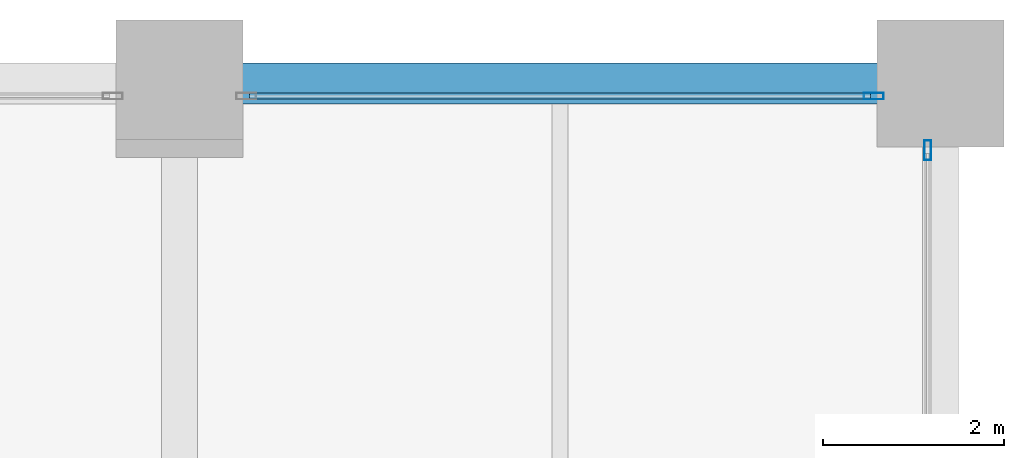
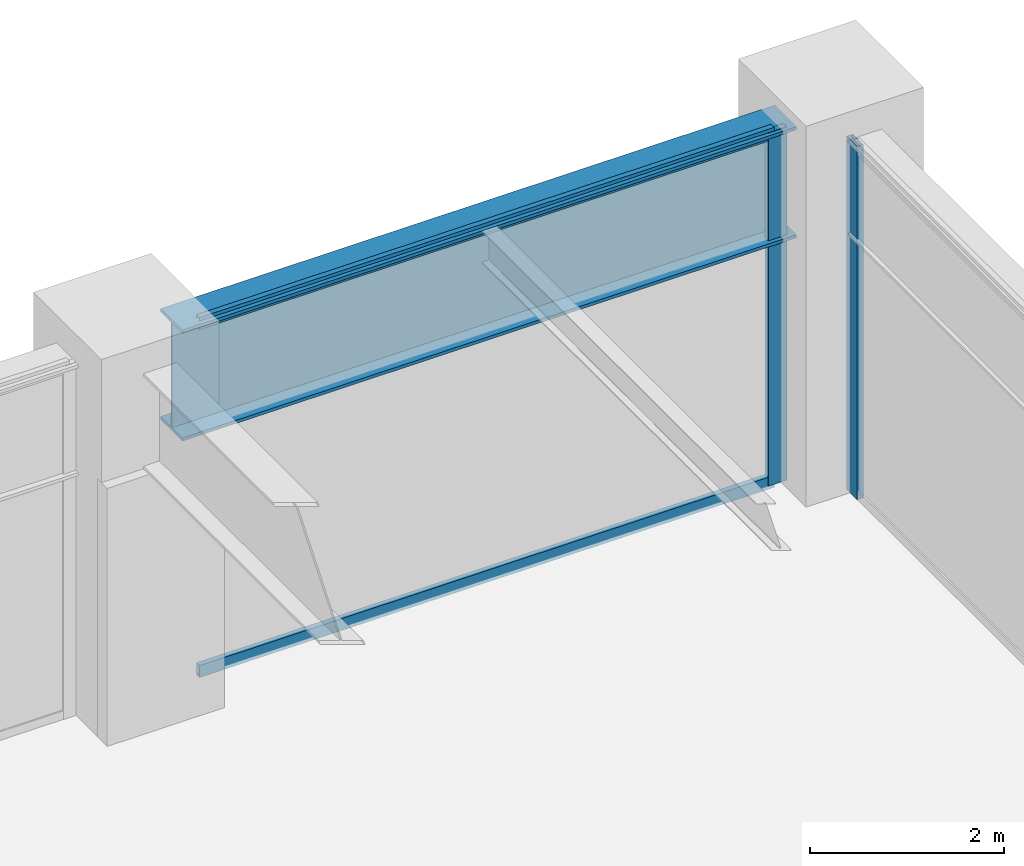
# One storey, part 17 of 24: 4 members, 1 beam, 2 elements without a shape of their own.
"""IFC4 building model written with IfcOpenShell, lengths in metres."""

from ifc_helpers import new_model, si_unit, direction, frame, origin, origin_2d, place, context, subcontext, project, spatial, hollow_rectangle, i_section, extrude, material, layer, layer_set, material_profile, profile_set, type_object, element, aggregate, save


model = new_model("IFC4")

# Units and contexts
model_context = context("Model", 3, precision=1e-05, world=origin(), true_north=direction((0.0, 1.0)))
body_context = subcontext(model_context, "Body", "Model", "MODEL_VIEW")
ifc_project = project(units=[si_unit("LENGTHUNIT", "METRE"), si_unit("AREAUNIT", "SQUARE_METRE"), si_unit("VOLUMEUNIT", "CUBIC_METRE"), si_unit("PLANEANGLEUNIT", "RADIAN"), si_unit("MASSUNIT", "GRAM", prefix="KILO")], contexts=[model_context])

# Site, building, storey
site_placement = place(None, origin())
site = spatial("IfcSite", under=ifc_project, at=site_placement, CompositionType="ELEMENT")
building_placement = place(site_placement, origin())
building = spatial("IfcBuilding", under=site, at=building_placement, Name="Nerrivon Quay Data Exchange", CompositionType="ELEMENT")
storey_placement = place(building_placement, frame((0.0, 0.0, 15.0)))
storey = spatial("IfcBuildingStorey", under=building, at=storey_placement, Name="L03", CompositionType="ELEMENT", Elevation=15.0)

# Beam
ifc_material_1 = material(Name="Steel Grade 350", Category="steel")
ifc_material_profile_1 = material_profile(ifc_material_1, i_section(OverallWidth=0.449951171875, OverallDepth=1.39990234375, WebThickness=0.02001953125, FlangeThickness=0.0400390625, at=origin_2d()), Name="1400WG455")
ifc_profile_set_1 = profile_set([ifc_material_profile_1], Name="Steel Grade 350")
beam_type = type_object("IfcBeamType", Name="BM-TG1-1400WG", PredefinedType="USERDEFINED", material=ifc_profile_set_1)
beam_placement = place(storey_placement, frame((50.93994140625, 50.39990234375, 3.75), z_axis=(1.0, 0.0, 0.0), x_axis=(0.0, 1.0, 0.0)))
element("IfcBeam", 1, at=beam_placement, inside=storey, type_object=beam_type, Name="L03 EW Girder Y=50.4 (50.4..58.8)", ObjectType="TRANSFER", PredefinedType="USERDEFINED", context=body_context, shape_type="SweptSolid", body=[
    extrude(i_section(OverallWidth=0.449951171875, OverallDepth=1.39990234375, WebThickness=0.02001953125, FlangeThickness=0.0400390625, at=origin_2d()), origin(), (0.0, 0.0, 1.0), 7.320068359375),
])

# Curtain wall, member
ifc_material_2 = material(Name="Anodised aluminium 6063-T6", Category="aluminium")
ifc_layer = layer(ifc_material_2, 0.239990234375)
ifc_layer_set = layer_set([ifc_layer], Name="Anodised aluminium 6063-T6")
curtain_wall_type = type_object("IfcCurtainWallType", Name="CW-SYS-03", PredefinedType="NOTDEFINED", material=ifc_layer_set)
curtain_wall_1_placement = place(storey_placement, origin())
curtain_wall_1 = element("IfcCurtainWall", 2, at=curtain_wall_1_placement, inside=storey, type_object=curtain_wall_type, Name="L03 Unitised Curtain Wall 13", PredefinedType="NOTDEFINED")
ifc_material_profile_2 = material_profile(ifc_material_2, hollow_rectangle(XDim=0.074951171875, YDim=0.219970703125, WallThickness=0.00390625, at=origin_2d()), Name="ALU-MULL-220x75")
ifc_profile_set_2 = profile_set([ifc_material_profile_2], Name="Anodised aluminium 6063-T6")
member_type_1 = type_object("IfcMemberType", Name="CWM-220x75", PredefinedType="MULLION", material=ifc_profile_set_2)
member_1_placement = place(storey_placement, frame((58.0625, 50.260009765625, 0.0), z_axis=(0.0, 0.0, 1.0), x_axis=(0.0, 1.0, 0.0)))
member_1 = element("IfcMember", 3, at=member_1_placement, type_object=member_type_1, Name="CW03 mullion 2", PredefinedType="MULLION", context=body_context, shape_type="SweptSolid", body=[
    extrude(hollow_rectangle(XDim=0.074951171875, YDim=0.219970703125, WallThickness=0.00390625, at=origin_2d()), origin(), (0.0, 0.0, 1.0), 4.449951171875),
])

curtain_wall_2_placement = place(storey_placement, origin())
curtain_wall_2 = element("IfcCurtainWall", 4, at=curtain_wall_2_placement, inside=storey, type_object=curtain_wall_type, Name="L03 Unitised Curtain Wall 14", PredefinedType="NOTDEFINED")
member_2_placement = place(storey_placement, frame((58.659912109375, 49.66259765625, 0.0), z_axis=(0.0, 0.0, 1.0), x_axis=(1.0, 0.0, 0.0)))
member_2 = element("IfcMember", 5, at=member_2_placement, type_object=member_type_1, Name="CW03 mullion 1", PredefinedType="MULLION", context=body_context, shape_type="SweptSolid", body=[
    extrude(hollow_rectangle(XDim=0.074951171875, YDim=0.219970703125, WallThickness=0.00390625, at=origin_2d()), origin(), (0.0, 0.0, 1.0), 4.449951171875),
])
aggregate(curtain_wall_2, [member_2])

# Member
ifc_material_profile_3 = material_profile(ifc_material_2, hollow_rectangle(XDim=0.06494140625, YDim=0.14990234375, WallThickness=0.00341796875, at=origin_2d()), Name="ALU-TRAN-150x65")
ifc_profile_set_3 = profile_set([ifc_material_profile_3], Name="Anodised aluminium 6063-T6")
member_type_2 = type_object("IfcMemberType", Name="CWT-150x65", PredefinedType="USERDEFINED", material=ifc_profile_set_3)
member_3_placement = place(storey_placement, frame((51.175048828125, 50.260009765625, 0.032470703125), z_axis=(1.0, 0.0, 0.0), x_axis=(0.0, 1.0, 0.0)))
member_3 = element("IfcMember", 6, at=member_3_placement, type_object=member_type_2, Name="CW03 transom 1.1", ObjectType="TRANSOM", PredefinedType="USERDEFINED", context=body_context, shape_type="SweptSolid", body=[
    extrude(hollow_rectangle(XDim=0.06494140625, YDim=0.14990234375, WallThickness=0.00341796875, at=origin_2d()), origin(), (0.0, 0.0, 1.0), 6.849853515625),
])

member_4_placement = place(storey_placement, frame((51.175048828125, 50.260009765625, 4.41748046875), z_axis=(1.0, 0.0, 0.0), x_axis=(0.0, 1.0, 0.0)))
member_4 = element("IfcMember", 7, at=member_4_placement, type_object=member_type_2, Name="CW03 transom 1.2", ObjectType="TRANSOM", PredefinedType="USERDEFINED", context=body_context, shape_type="SweptSolid", body=[
    extrude(hollow_rectangle(XDim=0.06494140625, YDim=0.14990234375, WallThickness=0.00341796875, at=origin_2d()), origin(), (0.0, 0.0, 1.0), 6.849853515625),
])

aggregate(curtain_wall_1, [member_1, member_3, member_4])

save(model, "model.ifc")
